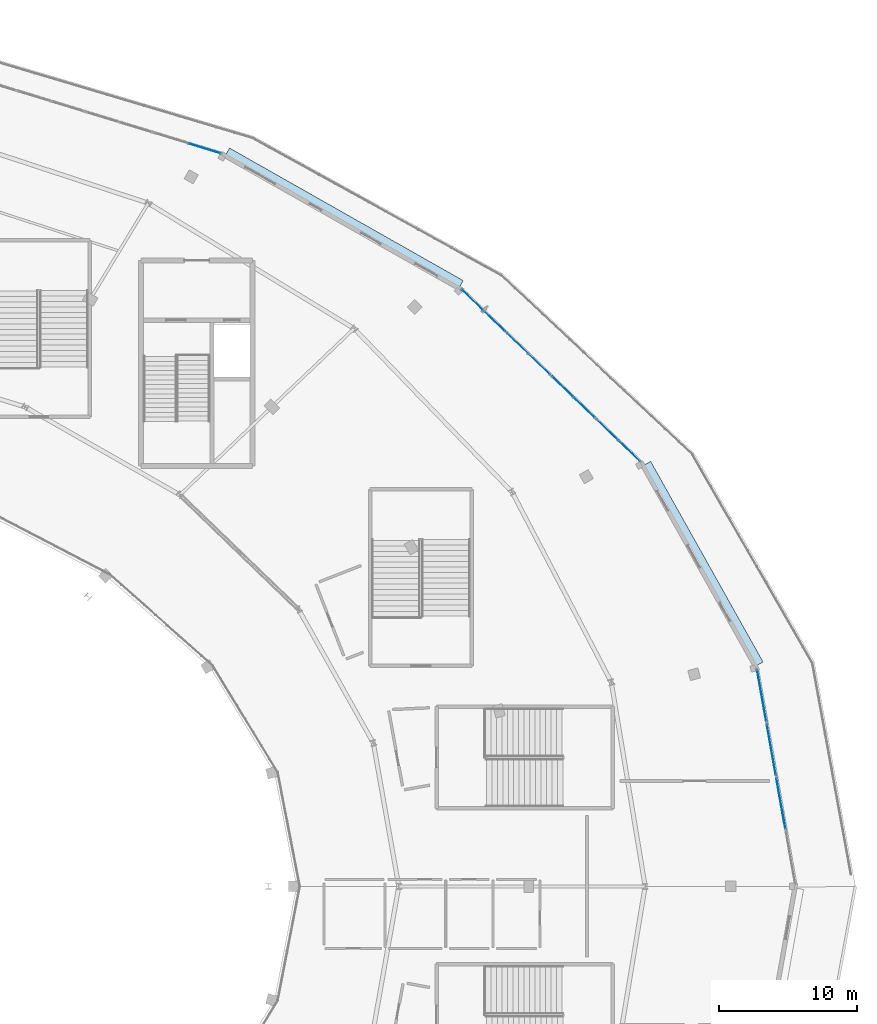
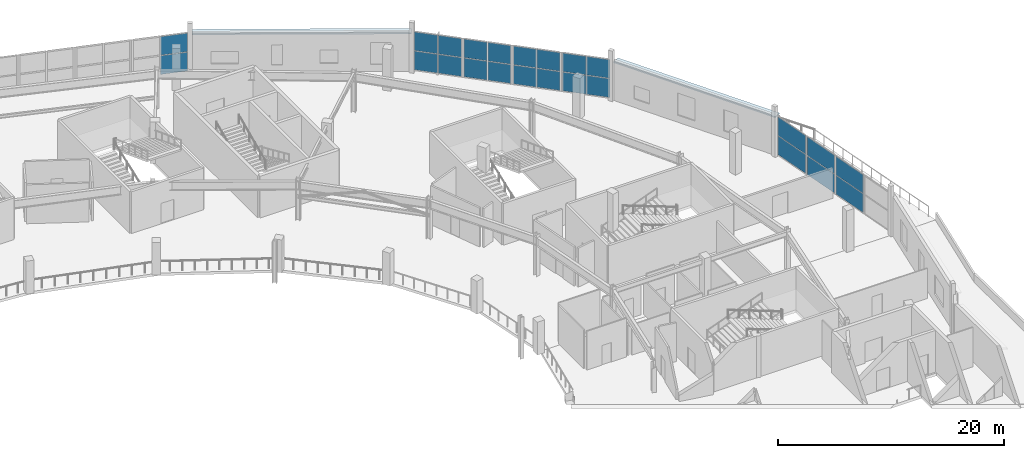
# One storey, part 78 of 123: 26 plates, 8 elements without a shape of their own.
"""IFC4 building model written with IfcOpenShell, lengths in metres."""

from ifc_helpers import new_model, si_unit, direction, frame, origin, origin_2d, place, context, subcontext, project, spatial, rectangle, extrude, material, layer, layer_set, type_object, element, aggregate, save


model = new_model("IFC4")

# Units and contexts
model_context = context("Model", 3, precision=1e-05, world=origin(), true_north=direction((0.0, 1.0)))
body_context = subcontext(model_context, "Body", "Model", "MODEL_VIEW")
ifc_project = project(units=[si_unit("LENGTHUNIT", "METRE"), si_unit("AREAUNIT", "SQUARE_METRE"), si_unit("VOLUMEUNIT", "CUBIC_METRE"), si_unit("PLANEANGLEUNIT", "RADIAN"), si_unit("MASSUNIT", "GRAM", prefix="KILO")], contexts=[model_context])

# Site, building, storey
site_placement = place(None, origin())
site = spatial("IfcSite", under=ifc_project, at=site_placement, CompositionType="ELEMENT")
building_placement = place(site_placement, origin())
building = spatial("IfcBuilding", under=site, at=building_placement, Name="Kalgoora Escarpment Arena", CompositionType="ELEMENT")
storey_placement = place(building_placement, frame((0.0, 0.0, 9.89990234375)))
storey = spatial("IfcBuildingStorey", under=building, at=storey_placement, Name="L02", CompositionType="ELEMENT", Elevation=9.89990234375)

# Curtain wall, plates
ifc_material_1 = material(Name=" Champagne anodised aluminium & double-glazed low-E", Category="aluminium")
ifc_layer_1 = layer(ifc_material_1, 0.162109375)
ifc_layer_set_1 = layer_set([ifc_layer_1], Name="CW-UNIT-03")
curtain_wall_type_1 = type_object("IfcCurtainWallType", Name="CW-UNIT-03", PredefinedType="NOTDEFINED", material=ifc_layer_set_1)
curtain_wall_1_placement = place(storey_placement, origin())
curtain_wall_1 = element("IfcCurtainWall", 1, at=curtain_wall_1_placement, inside=storey, type_object=curtain_wall_type_1, Name="L02 unitised facade curtain wall 082", PredefinedType="NOTDEFINED")
ifc_material_2 = material(Name="Low-E double-glazed insulated glass", Category="glass")
ifc_layer_2 = layer(ifc_material_2, 0.028076171875)
ifc_layer_set_2 = layer_set([ifc_layer_2], Name="PLT-CW-GLAZ-28")
plate_type_1 = type_object("IfcPlateType", Name="PLT-CW-GLAZ-28", PredefinedType="CURTAIN_PANEL", material=ifc_layer_set_2)
plate_1_placement = place(storey_placement, frame((132.34423828125, 117.321044921875, 0.080078125), z_axis=(0.0, 0.0, 1.0), x_axis=(0.956190547467, -0.29274500326, 0.0)))
plate_1 = element("IfcPlate", 2, at=plate_1_placement, type_object=plate_type_1, Name="CW-03 panel 2.1", PredefinedType="CURTAIN_PANEL", context=body_context, shape_type="SweptSolid", body=[
    extrude(rectangle(XDim=2.45263671875, YDim=0.028076171875, at=origin_2d()), origin(), (0.0, 0.0, 1.0), 2.0224609375),
])
plate_2_placement = place(storey_placement, frame((132.34423828125, 117.321044921875, 2.16259765625), z_axis=(0.0, 0.0, 1.0), x_axis=(0.956190547467, -0.29274500326, 0.0)))
plate_2 = element("IfcPlate", 3, at=plate_2_placement, type_object=plate_type_1, Name="CW-03 panel 2.2", PredefinedType="CURTAIN_PANEL", context=body_context, shape_type="SweptSolid", body=[
    extrude(rectangle(XDim=2.45263671875, YDim=0.028076171875, at=origin_2d()), origin(), (0.0, 0.0, 1.0), 2.00244140625),
])
aggregate(curtain_wall_1, [plate_1, plate_2])

ifc_material_3 = material(Name=" Champagne anodised aluminium & double-glazed low-E", Category="aluminium")
ifc_layer_3 = layer(ifc_material_3, 0.14990234375)
ifc_layer_set_3 = layer_set([ifc_layer_3], Name="CW-UNIT-05")
curtain_wall_type_2 = type_object("IfcCurtainWallType", Name="CW-UNIT-05", PredefinedType="NOTDEFINED", material=ifc_layer_set_3)
curtain_wall_2_placement = place(storey_placement, origin())
curtain_wall_2 = element("IfcCurtainWall", 4, at=curtain_wall_2_placement, inside=storey, type_object=curtain_wall_type_2, Name="L02 unitised facade curtain wall 084", PredefinedType="NOTDEFINED")
plate_3_placement = place(storey_placement, frame((154.989013671875, 103.216064453125, 0.080078125), z_axis=(0.0, 0.0, 1.0), x_axis=(0.720219530506, -0.693746227289, 0.0)))
plate_3 = element("IfcPlate", 5, at=plate_3_placement, type_object=plate_type_1, Name="CW-05 panel 1.1", PredefinedType="CURTAIN_PANEL", context=body_context, shape_type="SweptSolid", body=[
    extrude(rectangle(XDim=2.09912109375, YDim=0.028076171875, at=origin_2d()), origin(), (0.0, 0.0, 1.0), 2.0224609375),
])
plate_4_placement = place(storey_placement, frame((154.989013671875, 103.216064453125, 2.16259765625), z_axis=(0.0, 0.0, 1.0), x_axis=(0.720219530506, -0.693746227289, 0.0)))
plate_4 = element("IfcPlate", 6, at=plate_4_placement, type_object=plate_type_1, Name="CW-05 panel 1.2", PredefinedType="CURTAIN_PANEL", context=body_context, shape_type="SweptSolid", body=[
    extrude(rectangle(XDim=2.09912109375, YDim=0.028076171875, at=origin_2d()), origin(), (0.0, 0.0, 1.0), 2.00244140625),
])
plate_5_placement = place(storey_placement, frame((156.547607421875, 101.71484375, 0.080078125), z_axis=(0.0, 0.0, 1.0), x_axis=(0.720219530506, -0.693746227289, 0.0)))
plate_5 = element("IfcPlate", 7, at=plate_5_placement, type_object=plate_type_1, Name="CW-05 panel 2.1", PredefinedType="CURTAIN_PANEL", context=body_context, shape_type="SweptSolid", body=[
    extrude(rectangle(XDim=2.09912109375, YDim=0.028076171875, at=origin_2d()), origin(), (0.0, 0.0, 1.0), 2.0224609375),
])
plate_6_placement = place(storey_placement, frame((156.547607421875, 101.71484375, 2.16259765625), z_axis=(0.0, 0.0, 1.0), x_axis=(0.720219530506, -0.693746227289, 0.0)))
plate_6 = element("IfcPlate", 8, at=plate_6_placement, type_object=plate_type_1, Name="CW-05 panel 2.2", PredefinedType="CURTAIN_PANEL", context=body_context, shape_type="SweptSolid", body=[
    extrude(rectangle(XDim=2.09912109375, YDim=0.028076171875, at=origin_2d()), origin(), (0.0, 0.0, 1.0), 2.00244140625),
])
aggregate(curtain_wall_2, [plate_3, plate_4, plate_5, plate_6])

ifc_material_4 = material(Name=" Champagne anodised aluminium & double-glazed low-E", Category="aluminium")
ifc_layer_4 = layer(ifc_material_4, 0.157958984375)
ifc_layer_set_4 = layer_set([ifc_layer_4], Name="CW-UNIT-07")
curtain_wall_type_3 = type_object("IfcCurtainWallType", Name="CW-UNIT-07", PredefinedType="NOTDEFINED", material=ifc_layer_set_4)
curtain_wall_3_placement = place(storey_placement, origin())
curtain_wall_3 = element("IfcCurtainWall", 9, at=curtain_wall_3_placement, inside=storey, type_object=curtain_wall_type_3, Name="L02 unitised facade curtain wall 086", PredefinedType="NOTDEFINED")
plate_7_placement = place(storey_placement, frame((161.469970703125, 96.973388671875, 0.080078125), z_axis=(0.0, 0.0, 1.0), x_axis=(0.720206082108, -0.693760188606, 0.0)))
plate_7 = element("IfcPlate", 10, at=plate_7_placement, type_object=plate_type_1, Name="CW-07 panel 1.1", PredefinedType="CURTAIN_PANEL", context=body_context, shape_type="SweptSolid", body=[
    extrude(rectangle(XDim=2.1240234375, YDim=0.028076171875, at=origin_2d()), origin(), (0.0, 0.0, 1.0), 2.0224609375),
])
plate_8_placement = place(storey_placement, frame((161.469970703125, 96.973388671875, 2.16259765625), z_axis=(0.0, 0.0, 1.0), x_axis=(0.720206082108, -0.693760188606, 0.0)))
plate_8 = element("IfcPlate", 11, at=plate_8_placement, type_object=plate_type_1, Name="CW-07 panel 1.2", PredefinedType="CURTAIN_PANEL", context=body_context, shape_type="SweptSolid", body=[
    extrude(rectangle(XDim=2.1240234375, YDim=0.028076171875, at=origin_2d()), origin(), (0.0, 0.0, 1.0), 2.00244140625),
])
plate_9_placement = place(storey_placement, frame((163.046630859375, 95.45458984375, 0.080078125), z_axis=(0.0, 0.0, 1.0), x_axis=(0.720206082108, -0.693760188606, 0.0)))
plate_9 = element("IfcPlate", 12, at=plate_9_placement, type_object=plate_type_1, Name="CW-07 panel 2.1", PredefinedType="CURTAIN_PANEL", context=body_context, shape_type="SweptSolid", body=[
    extrude(rectangle(XDim=2.1240234375, YDim=0.028076171875, at=origin_2d()), origin(), (0.0, 0.0, 1.0), 2.0224609375),
])
plate_10_placement = place(storey_placement, frame((163.046630859375, 95.45458984375, 2.16259765625), z_axis=(0.0, 0.0, 1.0), x_axis=(0.720206082108, -0.693760188606, 0.0)))
plate_10 = element("IfcPlate", 13, at=plate_10_placement, type_object=plate_type_1, Name="CW-07 panel 2.2", PredefinedType="CURTAIN_PANEL", context=body_context, shape_type="SweptSolid", body=[
    extrude(rectangle(XDim=2.1240234375, YDim=0.028076171875, at=origin_2d()), origin(), (0.0, 0.0, 1.0), 2.00244140625),
])
aggregate(curtain_wall_3, [plate_7, plate_8, plate_9, plate_10])

ifc_material_5 = material(Name=" Champagne anodised aluminium & double-glazed low-E", Category="aluminium")
ifc_layer_5 = layer(ifc_material_5, 0.166015625)
ifc_layer_set_5 = layer_set([ifc_layer_5], Name="CW-UNIT-09")
curtain_wall_type_4 = type_object("IfcCurtainWallType", Name="CW-UNIT-09", PredefinedType="NOTDEFINED", material=ifc_layer_set_5)
curtain_wall_4_placement = place(storey_placement, origin())
curtain_wall_4 = element("IfcCurtainWall", 14, at=curtain_wall_4_placement, inside=storey, type_object=curtain_wall_type_4, Name="L02 unitised facade curtain wall 088", PredefinedType="NOTDEFINED")
plate_11_placement = place(storey_placement, frame((173.320068359375, 73.86962890625, 0.080078125), z_axis=(0.0, 0.0, 1.0), x_axis=(0.175336940518, -0.984508485128, 0.0)))
plate_11 = element("IfcPlate", 15, at=plate_11_placement, type_object=plate_type_1, Name="CW-09 panel 1.1", PredefinedType="CURTAIN_PANEL", context=body_context, shape_type="SweptSolid", body=[
    extrude(rectangle(XDim=3.72265625, YDim=0.028076171875, at=origin_2d()), origin(), (0.0, 0.0, 1.0), 2.0224609375),
])
plate_12_placement = place(storey_placement, frame((173.320068359375, 73.86962890625, 2.16259765625), z_axis=(0.0, 0.0, 1.0), x_axis=(0.175336940518, -0.984508485128, 0.0)))
plate_12 = element("IfcPlate", 16, at=plate_12_placement, type_object=plate_type_1, Name="CW-09 panel 1.2", PredefinedType="CURTAIN_PANEL", context=body_context, shape_type="SweptSolid", body=[
    extrude(rectangle(XDim=3.72265625, YDim=0.028076171875, at=origin_2d()), origin(), (0.0, 0.0, 1.0), 2.00244140625),
])
aggregate(curtain_wall_4, [plate_11, plate_12])

ifc_material_6 = material(Name=" Champagne anodised aluminium & double-glazed low-E", Category="aluminium")
ifc_layer_6 = layer(ifc_material_6, 0.166015625)
ifc_layer_set_6 = layer_set([ifc_layer_6], Name="CW-UNIT-04")
curtain_wall_type_5 = type_object("IfcCurtainWallType", Name="CW-UNIT-04", PredefinedType="NOTDEFINED", material=ifc_layer_set_6)
curtain_wall_5_placement = place(storey_placement, origin())
curtain_wall_5 = element("IfcCurtainWall", 17, at=curtain_wall_5_placement, inside=storey, type_object=curtain_wall_type_5, Name="L02 unitised facade curtain wall 083", PredefinedType="NOTDEFINED")
ifc_material_7 = material(Name="Acoustic laminated solar-control glass", Category="glass")
ifc_layer_7 = layer(ifc_material_7, 0.033935546875)
ifc_layer_set_7 = layer_set([ifc_layer_7], Name="PLT-CW-GLAZ-34")
plate_type_2 = type_object("IfcPlateType", Name="PLT-CW-GLAZ-34", PredefinedType="CURTAIN_PANEL", material=ifc_layer_set_7)
plate_13_placement = place(storey_placement, frame((151.72607421875, 106.359130859375, 0.080078125), z_axis=(0.0, 0.0, 1.0), x_axis=(0.720216914606, -0.693748943001, 0.0)))
plate_13 = element("IfcPlate", 18, at=plate_13_placement, type_object=plate_type_2, Name="CW-04 panel 1.1", PredefinedType="CURTAIN_PANEL", context=body_context, shape_type="SweptSolid", body=[
    extrude(rectangle(XDim=2.1240234375, YDim=0.033935546875, at=origin_2d()), origin(), (0.0, 0.0, 1.0), 2.0224609375),
])
plate_14_placement = place(storey_placement, frame((151.72607421875, 106.359130859375, 2.16259765625), z_axis=(0.0, 0.0, 1.0), x_axis=(0.720216914606, -0.693748943001, 0.0)))
plate_14 = element("IfcPlate", 19, at=plate_14_placement, type_object=plate_type_2, Name="CW-04 panel 1.2", PredefinedType="CURTAIN_PANEL", context=body_context, shape_type="SweptSolid", body=[
    extrude(rectangle(XDim=2.1240234375, YDim=0.033935546875, at=origin_2d()), origin(), (0.0, 0.0, 1.0), 2.00244140625),
])
plate_15_placement = place(storey_placement, frame((153.302490234375, 104.840576171875, 0.080078125), z_axis=(0.0, 0.0, 1.0), x_axis=(0.720216914606, -0.693748943001, 0.0)))
plate_15 = element("IfcPlate", 20, at=plate_15_placement, type_object=plate_type_2, Name="CW-04 panel 2.1", PredefinedType="CURTAIN_PANEL", context=body_context, shape_type="SweptSolid", body=[
    extrude(rectangle(XDim=2.1240234375, YDim=0.033935546875, at=origin_2d()), origin(), (0.0, 0.0, 1.0), 2.0224609375),
])
plate_16_placement = place(storey_placement, frame((153.302490234375, 104.840576171875, 2.16259765625), z_axis=(0.0, 0.0, 1.0), x_axis=(0.720216914606, -0.693748943001, 0.0)))
plate_16 = element("IfcPlate", 21, at=plate_16_placement, type_object=plate_type_2, Name="CW-04 panel 2.2", PredefinedType="CURTAIN_PANEL", context=body_context, shape_type="SweptSolid", body=[
    extrude(rectangle(XDim=2.1240234375, YDim=0.033935546875, at=origin_2d()), origin(), (0.0, 0.0, 1.0), 2.00244140625),
])
aggregate(curtain_wall_5, [plate_13, plate_14, plate_15, plate_16])

ifc_material_8 = material(Name=" Champagne anodised aluminium & double-glazed low-E", Category="aluminium")
ifc_layer_8 = layer(ifc_material_8, 0.154052734375)
ifc_layer_set_8 = layer_set([ifc_layer_8], Name="CW-UNIT-06")
curtain_wall_type_6 = type_object("IfcCurtainWallType", Name="CW-UNIT-06", PredefinedType="NOTDEFINED", material=ifc_layer_set_8)
curtain_wall_6_placement = place(storey_placement, origin())
curtain_wall_6 = element("IfcCurtainWall", 22, at=curtain_wall_6_placement, inside=storey, type_object=curtain_wall_type_6, Name="L02 unitised facade curtain wall 085", PredefinedType="NOTDEFINED")
plate_17_placement = place(storey_placement, frame((158.22509765625, 100.09912109375, 0.080078125), z_axis=(0.0, 0.0, 1.0), x_axis=(0.720219530506, -0.693746227289, 0.0)))
plate_17 = element("IfcPlate", 23, at=plate_17_placement, type_object=plate_type_2, Name="CW-06 panel 1.1", PredefinedType="CURTAIN_PANEL", context=body_context, shape_type="SweptSolid", body=[
    extrude(rectangle(XDim=2.09912109375, YDim=0.033935546875, at=origin_2d()), origin(), (0.0, 0.0, 1.0), 2.0224609375),
])
plate_18_placement = place(storey_placement, frame((158.22509765625, 100.09912109375, 2.16259765625), z_axis=(0.0, 0.0, 1.0), x_axis=(0.720219530506, -0.693746227289, 0.0)))
plate_18 = element("IfcPlate", 24, at=plate_18_placement, type_object=plate_type_2, Name="CW-06 panel 1.2", PredefinedType="CURTAIN_PANEL", context=body_context, shape_type="SweptSolid", body=[
    extrude(rectangle(XDim=2.09912109375, YDim=0.033935546875, at=origin_2d()), origin(), (0.0, 0.0, 1.0), 2.00244140625),
])
plate_19_placement = place(storey_placement, frame((159.78369140625, 98.597900390625, 0.080078125), z_axis=(0.0, 0.0, 1.0), x_axis=(0.720219530506, -0.693746227289, 0.0)))
plate_19 = element("IfcPlate", 25, at=plate_19_placement, type_object=plate_type_2, Name="CW-06 panel 2.1", PredefinedType="CURTAIN_PANEL", context=body_context, shape_type="SweptSolid", body=[
    extrude(rectangle(XDim=2.09912109375, YDim=0.033935546875, at=origin_2d()), origin(), (0.0, 0.0, 1.0), 2.0224609375),
])
plate_20_placement = place(storey_placement, frame((159.78369140625, 98.597900390625, 2.16259765625), z_axis=(0.0, 0.0, 1.0), x_axis=(0.720219530506, -0.693746227289, 0.0)))
plate_20 = element("IfcPlate", 26, at=plate_20_placement, type_object=plate_type_2, Name="CW-06 panel 2.2", PredefinedType="CURTAIN_PANEL", context=body_context, shape_type="SweptSolid", body=[
    extrude(rectangle(XDim=2.09912109375, YDim=0.033935546875, at=origin_2d()), origin(), (0.0, 0.0, 1.0), 2.00244140625),
])
aggregate(curtain_wall_6, [plate_17, plate_18, plate_19, plate_20])

ifc_material_9 = material(Name=" Champagne anodised aluminium & double-glazed low-E", Category="aluminium")
ifc_layer_9 = layer(ifc_material_9, 0.162109375)
ifc_layer_set_9 = layer_set([ifc_layer_9], Name="CW-UNIT-08")
curtain_wall_type_7 = type_object("IfcCurtainWallType", Name="CW-UNIT-08", PredefinedType="NOTDEFINED", material=ifc_layer_set_9)
curtain_wall_7_placement = place(storey_placement, origin())
curtain_wall_7 = element("IfcCurtainWall", 27, at=curtain_wall_7_placement, inside=storey, type_object=curtain_wall_type_7, Name="L02 unitised facade curtain wall 087", PredefinedType="NOTDEFINED")
plate_21_placement = place(storey_placement, frame((172.62255859375, 77.78564453125, 0.080078125), z_axis=(0.0, 0.0, 1.0), x_axis=(0.175346299115, -0.984506818355, 0.0)))
plate_21 = element("IfcPlate", 28, at=plate_21_placement, type_object=plate_type_2, Name="CW-08 panel 1.1", PredefinedType="CURTAIN_PANEL", context=body_context, shape_type="SweptSolid", body=[
    extrude(rectangle(XDim=3.7724609375, YDim=0.033935546875, at=origin_2d()), origin(), (0.0, 0.0, 1.0), 2.0224609375),
])
plate_22_placement = place(storey_placement, frame((172.62255859375, 77.78564453125, 2.16259765625), z_axis=(0.0, 0.0, 1.0), x_axis=(0.175346299115, -0.984506818355, 0.0)))
plate_22 = element("IfcPlate", 29, at=plate_22_placement, type_object=plate_type_2, Name="CW-08 panel 1.2", PredefinedType="CURTAIN_PANEL", context=body_context, shape_type="SweptSolid", body=[
    extrude(rectangle(XDim=3.7724609375, YDim=0.033935546875, at=origin_2d()), origin(), (0.0, 0.0, 1.0), 2.00244140625),
])
aggregate(curtain_wall_7, [plate_21, plate_22])

ifc_material_10 = material(Name=" Champagne anodised aluminium & double-glazed low-E", Category="aluminium")
ifc_layer_10 = layer(ifc_material_10, 0.14990234375)
ifc_layer_set_10 = layer_set([ifc_layer_10], Name="CW-UNIT-10")
curtain_wall_type_8 = type_object("IfcCurtainWallType", Name="CW-UNIT-10", PredefinedType="NOTDEFINED", material=ifc_layer_set_10)
curtain_wall_8_placement = place(storey_placement, origin())
curtain_wall_8 = element("IfcCurtainWall", 30, at=curtain_wall_8_placement, inside=storey, type_object=curtain_wall_type_8, Name="L02 unitised facade curtain wall 089", PredefinedType="NOTDEFINED")
plate_23_placement = place(storey_placement, frame((174.01318359375, 69.978515625, 0.080078125), z_axis=(0.0, 0.0, 1.0), x_axis=(0.175336940518, -0.984508485128, 0.0)))
plate_23 = element("IfcPlate", 31, at=plate_23_placement, type_object=plate_type_2, Name="CW-10 panel 1.1", PredefinedType="CURTAIN_PANEL", context=body_context, shape_type="SweptSolid", body=[
    extrude(rectangle(XDim=3.72265625, YDim=0.033935546875, at=origin_2d()), origin(), (0.0, 0.0, 1.0), 2.0224609375),
])
plate_24_placement = place(storey_placement, frame((174.01318359375, 69.978515625, 2.16259765625), z_axis=(0.0, 0.0, 1.0), x_axis=(0.175336940518, -0.984508485128, 0.0)))
plate_24 = element("IfcPlate", 32, at=plate_24_placement, type_object=plate_type_2, Name="CW-10 panel 1.2", PredefinedType="CURTAIN_PANEL", context=body_context, shape_type="SweptSolid", body=[
    extrude(rectangle(XDim=3.72265625, YDim=0.033935546875, at=origin_2d()), origin(), (0.0, 0.0, 1.0), 2.00244140625),
])
aggregate(curtain_wall_8, [plate_23, plate_24])

# Plates
ifc_material_11 = material(Name="Champagne anodised Art Deco solar brise-soleil hood", Category="aluminium")
ifc_layer_11 = layer(ifc_material_11, 0.1201171875)
ifc_layer_set_11 = layer_set([ifc_layer_11], Name="PLT-DECO-EYEBROW")
plate_type_3 = type_object("IfcPlateType", Name="PLT-DECO-EYEBROW", PredefinedType="SHEET", material=ifc_layer_set_11)
plate_25_placement = place(storey_placement, frame((142.4345703125, 112.244384765625, 3.985107421875), z_axis=(0.0, 0.0, 1.0), x_axis=(0.869839554062, -0.493334724289, 0.0)))
element("IfcPlate", 33, at=plate_25_placement, inside=storey, type_object=plate_type_3, Name="L02 Art Deco horizontal solar brise-soleil eyebrow 049", PredefinedType="SHEET", context=body_context, shape_type="SweptSolid", body=[
    extrude(rectangle(XDim=19.4140625, YDim=0.719970703125, at=origin_2d()), origin(), (0.0, 0.0, 1.0), 0.1201171875),
])
plate_26_placement = place(storey_placement, frame((168.349609375, 87.27978515625, 3.985107421875), z_axis=(0.0, 0.0, 1.0), x_axis=(0.488925770283, -0.872325392932, 0.0)))
element("IfcPlate", 34, at=plate_26_placement, inside=storey, type_object=plate_type_3, Name="L02 Art Deco horizontal solar brise-soleil eyebrow 050", PredefinedType="SHEET", context=body_context, shape_type="SweptSolid", body=[
    extrude(rectangle(XDim=16.6201171875, YDim=0.719970703125, at=origin_2d()), origin(), (0.0, 0.0, 1.0), 0.1201171875),
])

save(model, "model.ifc")
